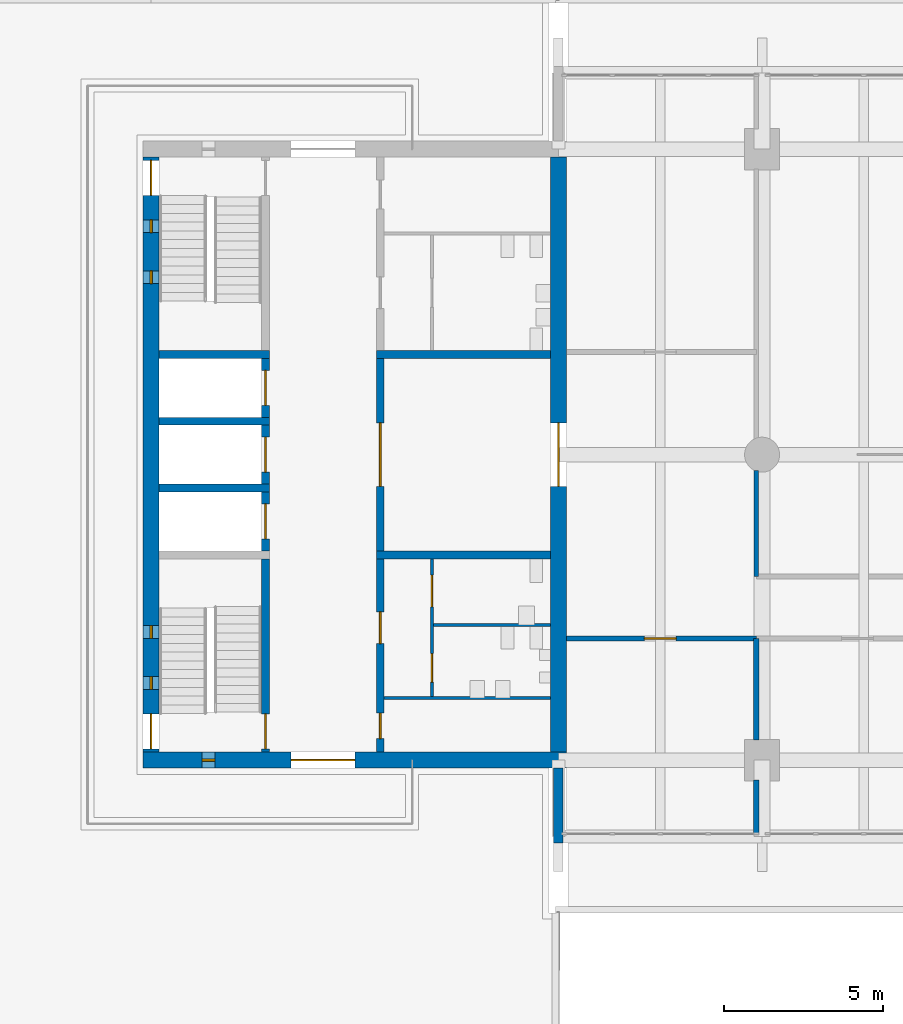
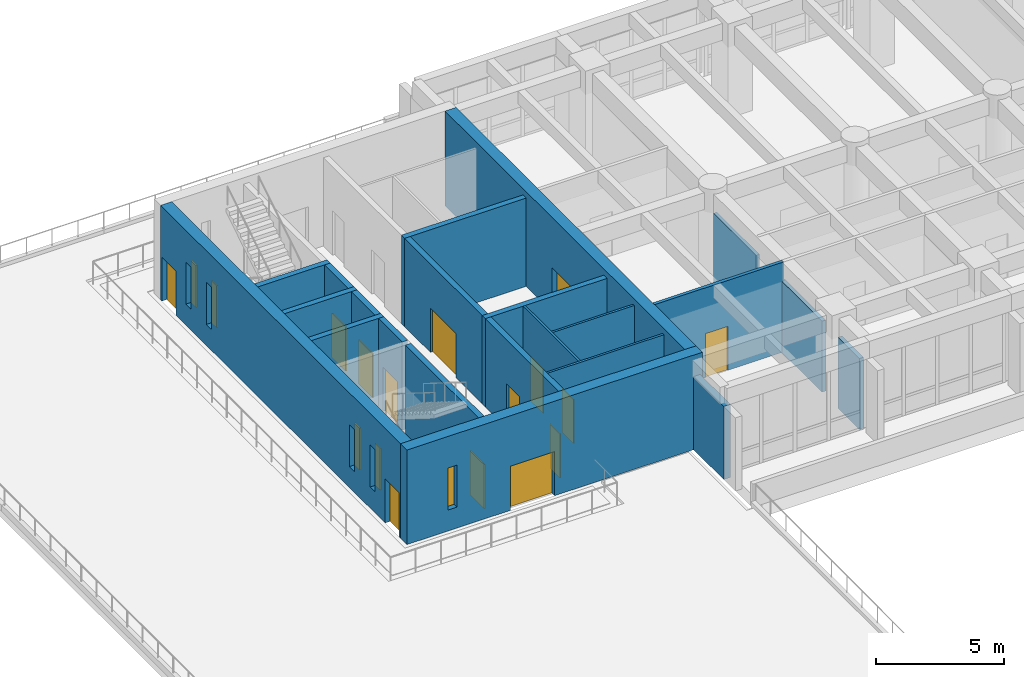
# One storey, part 11 of 21: 22 walls, 14 doors, 5 windows, 19 openings.
"""IFC4 building model written with IfcOpenShell, lengths in metres."""

import ifcopenshell
import ifcopenshell.guid

model = None  # the IFC model being written
_history = None  # IfcOwnerHistory: only IFC2X3 demands one
_inside = {}  # id of a spatial element -> (the spatial element, [elements in it])
_under = {}  # id of a project, library or spatial element -> (it, [spatial elements below it])
_declared = {}  # id of a project -> (the project, [libraries it declares])
_typed = {}  # id of a type object -> (the type object, [elements of that type])
_made_of = {}  # id of a material, layer set ... -> (it, [elements and type objects made of it])


def new_model(schema):
    """Start an empty IFC model of exactly this schema.

    Asked for "IFC4X3", IfcOpenShell would pick the latest addendum, in which some entities
    have other attributes; the version numbers below select the first issue.
    IFC2X3 requires an IfcOwnerHistory on every rooted entity: one is made here for all.
    """
    global model, _history
    if schema == "IFC4X3":
        model = ifcopenshell.file(schema_version=(4, 3, 0, 0))
    else:
        model = ifcopenshell.file(schema=schema)
    _inside.clear()
    _under.clear()
    _declared.clear()
    _typed.clear()
    _made_of.clear()
    _history = None
    if model.schema == "IFC2X3":
        org = make("IfcOrganization", Name="unknown")
        user = make(
            "IfcPersonAndOrganization",
            ThePerson=make("IfcPerson", FamilyName="unknown"),
            TheOrganization=org,
        )
        app = make(
            "IfcApplication",
            ApplicationDeveloper=org,
            Version="unknown",
            ApplicationFullName="unknown",
            ApplicationIdentifier="unknown",
        )
        _history = make(
            "IfcOwnerHistory",
            OwningUser=user,
            OwningApplication=app,
            ChangeAction="ADDED",
            CreationDate=0,
        )
    return model


def make(cls, **values):
    """One entity of the class cls with the attributes given. An attribute that is None is left unset."""
    return model.create_entity(
        cls, **{name: value for name, value in values.items() if value is not None}
    )


def rooted(cls, **values):
    """An entity with a GlobalId (a new one), such as an element, a storey or a relation."""
    return make(cls, GlobalId=ifcopenshell.guid.new(), OwnerHistory=_history, **values)


def si_unit(unit_type, name, prefix=None):
    """IfcSIUnit, for example si_unit("LENGTHUNIT", "METRE", prefix="MILLI")."""
    return make("IfcSIUnit", UnitType=unit_type, Prefix=prefix, Name=name)


def assignment(units):
    """IfcUnitAssignment: the units of a project."""
    return None if units is None else make("IfcUnitAssignment", Units=units)


def point(xyz):
    """IfcCartesianPoint."""
    return None if xyz is None else make("IfcCartesianPoint", Coordinates=xyz)


def direction(xyz):
    """IfcDirection."""
    return None if xyz is None else make("IfcDirection", DirectionRatios=xyz)


def frame(location, z_axis=None, x_axis=None):
    """IfcAxis2Placement3D, a coordinate frame: its origin and axes. An axis left out is left unset."""
    return make(
        "IfcAxis2Placement3D",
        Location=point(location),
        Axis=direction(z_axis),
        RefDirection=direction(x_axis),
    )


def frame_2d(location, x_axis=None):
    """IfcAxis2Placement2D, a coordinate frame in the plane: its origin and x axis."""
    return make(
        "IfcAxis2Placement2D", Location=point(location), RefDirection=direction(x_axis)
    )


def origin():
    """The frame at (0, 0, 0) with its axes left unset."""
    return frame((0.0, 0.0, 0.0))


def place(relative_to, where):
    """IfcLocalPlacement: puts the frame where relative to a parent placement (None: the world)."""
    return make(
        "IfcLocalPlacement", PlacementRelTo=relative_to, RelativePlacement=where
    )


def context(
    kind, dimensions, precision=None, world=None, true_north=None, identifier=None
):
    """IfcGeometricRepresentationContext, for example the 3D "Model" context."""
    return make(
        "IfcGeometricRepresentationContext",
        ContextIdentifier=identifier,
        ContextType=kind,
        CoordinateSpaceDimension=dimensions,
        Precision=precision,
        WorldCoordinateSystem=world,
        TrueNorth=true_north,
    )


def subcontext(parent, identifier, kind, view, scale=None):
    """IfcGeometricRepresentationSubContext, for example "Body" below "Model"."""
    return make(
        "IfcGeometricRepresentationSubContext",
        ContextIdentifier=identifier,
        ContextType=kind,
        ParentContext=parent,
        TargetScale=scale,
        TargetView=view,
    )


def project(units=None, contexts=None):
    """IfcProject with its units and contexts."""
    return rooted(
        "IfcProject",
        Name="project",
        RepresentationContexts=contexts,
        UnitsInContext=assignment(units),
    )


def spatial(cls, under=None, at=None, **own):
    """A site, building, storey or space (cls), placed at a placement, below another one or the project."""
    s = rooted(cls, ObjectPlacement=at, **own)
    if under is not None:
        _under.setdefault(under.id(), (under, []))[1].append(s)
    return s


def profile(cls, at=None, kind="AREA", **sizes):
    """A parametric profile (cls). Its sizes go by their IFC names, for example OverallWidth=200.0."""
    return make(cls, ProfileType=kind, Position=at, **sizes)


def rectangle(**sizes):
    """IfcRectangleProfileDef."""
    return profile("IfcRectangleProfileDef", **sizes)


def extrude(swept, where, along, depth):
    """IfcExtrudedAreaSolid: the profile swept, set in the frame where, extruded along a direction by depth."""
    return make(
        "IfcExtrudedAreaSolid",
        SweptArea=swept,
        Position=where,
        ExtrudedDirection=direction(along),
        Depth=depth,
    )


def shape(context_of_items, identifier, shape_type, items):
    """IfcShapeRepresentation: the items that make up one representation, for example the "Body"."""
    return make(
        "IfcShapeRepresentation",
        ContextOfItems=context_of_items,
        RepresentationIdentifier=identifier,
        RepresentationType=shape_type,
        Items=items,
    )


def material(Name=None, Category=None):
    """IfcMaterial."""
    return make("IfcMaterial", Name=Name, Category=Category)


def layer(
    of_material, thickness, ventilated=None, Name=None, Category=None, Priority=None
):
    """IfcMaterialLayer: one layer of a wall or slab, of a material (None: an air gap)."""
    return make(
        "IfcMaterialLayer",
        Material=of_material,
        LayerThickness=thickness,
        IsVentilated=ventilated,
        Name=Name,
        Category=Category,
        Priority=Priority,
    )


def layer_set(layers, Name=None):
    """IfcMaterialLayerSet."""
    return make("IfcMaterialLayerSet", MaterialLayers=layers, LayerSetName=Name)


def made_of(thing, what):
    """Note that an element or type object is made of a material, layer set ...; save() writes the relation."""
    if what is not None:
        _made_of.setdefault(what.id(), (what, []))[1].append(thing)
    return thing


def type_object(cls, material=None, **own):
    """A type object (cls), such as IfcWallType, which elements share."""
    return made_of(rooted(cls, **own), material)


def element(
    cls,
    number,
    at=None,
    inside=None,
    cuts=None,
    type_object=None,
    material=None,
    context=None,
    identifier="Body",
    shape_type=None,
    held_by="IfcProductDefinitionShape",
    body=None,
    shapes=None,
    **own,
):
    """One element of the class cls, such as IfcWall. Its Tag is "e" and its number.

    at: its placement. inside: the storey or other place that contains it. cuts: it is an
    opening in that element (IfcRelVoidsElement). A single representation is given by context,
    identifier, shape_type and body (its items); several are given by shapes. held_by: the class
    of the entity that holds the representations. save() writes the other relations.
    """
    e = rooted(cls, Tag="e%d" % number, ObjectPlacement=at, **own)
    if body is not None:
        shapes = [shape(context, identifier, shape_type, body)]
    if shapes is not None:
        e.Representation = make(held_by, Representations=shapes)
    if inside is not None:
        _inside.setdefault(inside.id(), (inside, []))[1].append(e)
    if cuts is not None:
        rooted(
            "IfcRelVoidsElement", RelatingBuildingElement=cuts, RelatedOpeningElement=e
        )
    if type_object is not None:
        _typed.setdefault(type_object.id(), (type_object, []))[1].append(e)
    return made_of(e, material)


def fill(opening, filler):
    """IfcRelFillsElement: the door or window that sits in an opening."""
    return rooted(
        "IfcRelFillsElement",
        RelatingOpeningElement=opening,
        RelatedBuildingElement=filler,
    )


def aggregate(whole, parts):
    """IfcRelAggregates: a whole, such as a stair, and the parts it consists of."""
    return rooted("IfcRelAggregates", RelatingObject=whole, RelatedObjects=parts)


def save(model, path):
    """Write the relations noted so far, then the file.

    IfcRelAggregates (storeys below a building ...), IfcRelContainedInSpatialStructure (elements
    in a storey), IfcRelDefinesByType, IfcRelAssociatesMaterial and IfcRelDeclares: one each for
    every whole, place, type object, material and project.
    """
    for whole, parts in _under.values():
        aggregate(whole, parts)
    for where, things in _inside.values():
        rooted(
            "IfcRelContainedInSpatialStructure",
            RelatedElements=things,
            RelatingStructure=where,
        )
    for kind, things in _typed.values():
        rooted("IfcRelDefinesByType", RelatedObjects=things, RelatingType=kind)
    for what, things in _made_of.values():
        rooted("IfcRelAssociatesMaterial", RelatedObjects=things, RelatingMaterial=what)
    for by, libraries in _declared.values():
        rooted("IfcRelDeclares", RelatingContext=by, RelatedDefinitions=libraries)
    model.write(path)


model = new_model("IFC4")

# Units and contexts
model_context = context("Model", 3, precision=1e-05, world=origin(), true_north=direction((0.0, 1.0)))
body_context = subcontext(model_context, "Body", "Model", "MODEL_VIEW")
ifc_project = project(units=[si_unit("LENGTHUNIT", "METRE"), si_unit("AREAUNIT", "SQUARE_METRE"), si_unit("VOLUMEUNIT", "CUBIC_METRE"), si_unit("PLANEANGLEUNIT", "RADIAN"), si_unit("MASSUNIT", "GRAM", prefix="KILO")], contexts=[model_context])

# Site, building, storey
site_placement = place(None, origin())
site = spatial("IfcSite", under=ifc_project, at=site_placement, CompositionType="ELEMENT")
building_placement = place(site_placement, origin())
building = spatial("IfcBuilding", under=site, at=building_placement, Name="Fogon Plaza Fire Station and Headquarters Tower", CompositionType="ELEMENT")
storey_placement = place(building_placement, frame((0.0, 0.0, 8.39990234375)))
storey = spatial("IfcBuildingStorey", under=building, at=storey_placement, Name="L02", CompositionType="ELEMENT", Elevation=8.39990234375)

# Walls
ifc_material_1 = material(Name="Concrete C40", Category="concrete")
ifc_layer_1 = layer(ifc_material_1, 0.25)
ifc_layer_set_1 = layer_set([ifc_layer_1], Name="Concrete C40")
wall_type_1 = type_object("IfcWallType", Name="Core Wall RC 250", PredefinedType="SOLIDWALL", material=ifc_layer_set_1)
for number, where, z_axis, x_axis, name in (
    (1, (13.050048828125, 42.14990234375, 0.0), (0.0, 0.0, 1.0), (1.0, 0.0, 0.0), "Core A shaft wall"),
    (2, (13.050048828125, 44.25, 0.0), (0.0, 0.0, 1.0), (1.0, 0.0, 0.0), "Core A shaft wall"),
    (3, (13.050048828125, 46.35009765625, 0.0), (0.0, 0.0, 1.0), (1.0, 0.0, 0.0), "Core A shaft wall"),
):
    element("IfcWall", number, at=place(storey_placement, frame(where, z_axis=z_axis, x_axis=x_axis)), inside=storey, type_object=wall_type_1, Name=name, PredefinedType="SOLIDWALL", context=body_context, shape_type="SweptSolid", body=[
        extrude(rectangle(XDim=3.474853515625, YDim=0.25, at=frame_2d((1.7373046875, 0.0))), origin(), (0.0, 0.0, 1.0), 4.2001953125),
    ])

# Wall, opening, door
wall_1_placement = place(storey_placement, frame((16.39990234375, 33.85009765625, 0.0), z_axis=(0.0, 0.0, 1.0), x_axis=(0.0, 1.0, 0.0)))
wall_1 = element("IfcWall", 4, at=wall_1_placement, inside=storey, type_object=wall_type_1, Name="Core A shaft wall", PredefinedType="SOLIDWALL", context=body_context, shape_type="SweptSolid", body=[
    extrude(rectangle(XDim=6.074951171875, YDim=0.25, at=frame_2d((3.03759765625, 0.0))), origin(), (0.0, 0.0, 1.0), 4.2001953125),
])
opening_1_placement = place(wall_1_placement, frame((0.10009765625, 0.0, 0.0)))
opening_1 = element("IfcOpeningElement", 5, at=opening_1_placement, cuts=wall_1, Name="Opening L02-D01", PredefinedType="OPENING", context=body_context, shape_type="SweptSolid", body=[
    extrude(rectangle(XDim=1.10009765625, YDim=2.10009765625, at=frame_2d((0.550048828125, 1.050048828125))), frame((0.0, 0.135009765625, 0.0), z_axis=(0.0, -1.0, 0.0), x_axis=(1.0, 0.0, 0.0)), (0.0, 0.0, 1.0), 0.27001953125),
])
ifc_material_2 = material(Name="Steel Fire Door Leaf", Category="steel")
door_type_1 = type_object("IfcDoorType", Name="Stair Door Single 1100x2100", OperationType="SINGLE_SWING_LEFT", PredefinedType="DOOR", material=ifc_material_2)
door_1_placement = place(opening_1_placement, origin())
door_1 = element("IfcDoor", 6, at=door_1_placement, inside=storey, type_object=door_type_1, Name="Stair door ST1", OperationType="SINGLE_SWING_LEFT", OverallHeight=2.10009765625, OverallWidth=1.10009765625, PredefinedType="DOOR", context=body_context, shape_type="SweptSolid", body=[
    extrude(rectangle(XDim=1.10009765625, YDim=2.10009765625, at=frame_2d((0.550048828125, 1.050048828125))), frame((0.0, 0.02490234375, 0.0), z_axis=(0.0, -1.0, 0.0), x_axis=(1.0, 0.0, 0.0)), (0.0, 0.0, 1.0), 0.050048828125),
])
fill(opening_1, door_1)

wall_2_placement = place(storey_placement, frame((16.39990234375, 40.175048828125, 0.0), z_axis=(0.0, 0.0, 1.0), x_axis=(0.0, 1.0, 0.0)))
wall_2 = element("IfcWall", 7, at=wall_2_placement, inside=storey, type_object=wall_type_1, Name="Core A shaft wall", PredefinedType="SOLIDWALL", context=body_context, shape_type="SweptSolid", body=[
    extrude(rectangle(XDim=1.849853515625, YDim=0.25, at=frame_2d((0.9248046875, 0.0))), origin(), (0.0, 0.0, 1.0), 4.2001953125),
])
opening_2_placement = place(wall_2_placement, frame((0.375, 0.0, 0.0)))
opening_2 = element("IfcOpeningElement", 8, at=opening_2_placement, cuts=wall_2, Name="Opening L02-D03", PredefinedType="OPENING", context=body_context, shape_type="SweptSolid", body=[
    extrude(rectangle(XDim=1.10009765625, YDim=2.10009765625, at=frame_2d((0.550048828125, 1.050048828125))), frame((0.0, 0.135009765625, 0.0), z_axis=(0.0, -1.0, 0.0), x_axis=(1.0, 0.0, 0.0)), (0.0, 0.0, 1.0), 0.27001953125),
])
ifc_material_3 = material(Name="Stainless Steel", Category="steel")
door_type_2 = type_object("IfcDoorType", Name="Lift Landing Door 1100x2100", OperationType="SLIDING_TO_LEFT", PredefinedType="DOOR", material=ifc_material_3)
door_2_placement = place(opening_2_placement, origin())
door_2 = element("IfcDoor", 9, at=door_2_placement, inside=storey, type_object=door_type_2, Name="Lift LP1 landing door", OperationType="SLIDING_TO_LEFT", OverallHeight=2.10009765625, OverallWidth=1.10009765625, PredefinedType="DOOR", context=body_context, shape_type="SweptSolid", body=[
    extrude(rectangle(XDim=1.10009765625, YDim=2.10009765625, at=frame_2d((0.550048828125, 1.050048828125))), frame((0.0, 0.02490234375, 0.0), z_axis=(0.0, -1.0, 0.0), x_axis=(1.0, 0.0, 0.0)), (0.0, 0.0, 1.0), 0.050048828125),
])
fill(opening_2, door_2)

wall_3_placement = place(storey_placement, frame((16.39990234375, 42.27490234375, 0.0), z_axis=(0.0, 0.0, 1.0), x_axis=(0.0, 1.0, 0.0)))
wall_3 = element("IfcWall", 10, at=wall_3_placement, inside=storey, type_object=wall_type_1, Name="Core A shaft wall", PredefinedType="SOLIDWALL", context=body_context, shape_type="SweptSolid", body=[
    extrude(rectangle(XDim=1.85009765625, YDim=0.25, at=frame_2d((0.925048828125, 0.0))), origin(), (0.0, 0.0, 1.0), 4.2001953125),
])
opening_3_placement = place(wall_3_placement, frame((0.375, 0.0, 0.0)))
opening_3 = element("IfcOpeningElement", 11, at=opening_3_placement, cuts=wall_3, Name="Opening L02-D04", PredefinedType="OPENING", context=body_context, shape_type="SweptSolid", body=[
    extrude(rectangle(XDim=1.10009765625, YDim=2.10009765625, at=frame_2d((0.550048828125, 1.050048828125))), frame((0.0, 0.135009765625, 0.0), z_axis=(0.0, -1.0, 0.0), x_axis=(1.0, 0.0, 0.0)), (0.0, 0.0, 1.0), 0.27001953125),
])
door_3_placement = place(opening_3_placement, origin())
door_3 = element("IfcDoor", 12, at=door_3_placement, inside=storey, type_object=door_type_2, Name="Lift LP2 landing door", OperationType="SLIDING_TO_LEFT", OverallHeight=2.10009765625, OverallWidth=1.10009765625, PredefinedType="DOOR", context=body_context, shape_type="SweptSolid", body=[
    extrude(rectangle(XDim=1.10009765625, YDim=2.10009765625, at=frame_2d((0.550048828125, 1.050048828125))), frame((0.0, 0.02490234375, 0.0), z_axis=(0.0, -1.0, 0.0), x_axis=(1.0, 0.0, 0.0)), (0.0, 0.0, 1.0), 0.050048828125),
])
fill(opening_3, door_3)

wall_4_placement = place(storey_placement, frame((16.39990234375, 44.375, 0.0), z_axis=(0.0, 0.0, 1.0), x_axis=(0.0, 1.0, 0.0)))
wall_4 = element("IfcWall", 13, at=wall_4_placement, inside=storey, type_object=wall_type_1, Name="Core A shaft wall", PredefinedType="SOLIDWALL", context=body_context, shape_type="SweptSolid", body=[
    extrude(rectangle(XDim=1.85009765625, YDim=0.25, at=frame_2d((0.925048828125, 0.0))), origin(), (0.0, 0.0, 1.0), 4.2001953125),
])
opening_4_placement = place(wall_4_placement, frame((0.375, 0.0, 0.0)))
opening_4 = element("IfcOpeningElement", 14, at=opening_4_placement, cuts=wall_4, Name="Opening L02-D05", PredefinedType="OPENING", context=body_context, shape_type="SweptSolid", body=[
    extrude(rectangle(XDim=1.10009765625, YDim=2.10009765625, at=frame_2d((0.550048828125, 1.050048828125))), frame((0.0, 0.135009765625, 0.0), z_axis=(0.0, -1.0, 0.0), x_axis=(1.0, 0.0, 0.0)), (0.0, 0.0, 1.0), 0.27001953125),
])
door_4_placement = place(opening_4_placement, origin())
door_4 = element("IfcDoor", 15, at=door_4_placement, inside=storey, type_object=door_type_2, Name="Lift FL1 landing door", OperationType="SLIDING_TO_LEFT", OverallHeight=2.10009765625, OverallWidth=1.10009765625, PredefinedType="DOOR", context=body_context, shape_type="SweptSolid", body=[
    extrude(rectangle(XDim=1.10009765625, YDim=2.10009765625, at=frame_2d((0.550048828125, 1.050048828125))), frame((0.0, 0.02490234375, 0.0), z_axis=(0.0, -1.0, 0.0), x_axis=(1.0, 0.0, 0.0)), (0.0, 0.0, 1.0), 0.050048828125),
])
fill(opening_4, door_4)

# Wall, openings, doors
wall_5_placement = place(storey_placement, frame((20.0, 33.85009765625, 0.0), z_axis=(0.0, 0.0, 1.0), x_axis=(0.0, 1.0, 0.0)))
wall_5 = element("IfcWall", 16, at=wall_5_placement, inside=storey, type_object=wall_type_1, Name="Core A shaft wall", PredefinedType="SOLIDWALL", context=body_context, shape_type="SweptSolid", body=[
    extrude(rectangle(XDim=6.074951171875, YDim=0.25, at=frame_2d((3.03759765625, 0.0))), origin(), (0.0, 0.0, 1.0), 4.2001953125),
])
opening_5_placement = place(wall_5_placement, frame((0.425048828125, 0.0, 0.0)))
opening_5 = element("IfcOpeningElement", 17, at=opening_5_placement, cuts=wall_5, Name="Opening L02-D08", PredefinedType="OPENING", context=body_context, shape_type="SweptSolid", body=[
    extrude(rectangle(XDim=0.800048828125, YDim=2.10009765625, at=frame_2d((0.39990234375, 1.050048828125))), frame((0.0, 0.135009765625, 0.0), z_axis=(0.0, -1.0, 0.0), x_axis=(1.0, 0.0, 0.0)), (0.0, 0.0, 1.0), 0.27001953125),
])
opening_6_placement = place(wall_5_placement, frame((3.41259765625, 0.0, 0.0)))
opening_6 = element("IfcOpeningElement", 18, at=opening_6_placement, cuts=wall_5, Name="Opening L02-D09", PredefinedType="OPENING", context=body_context, shape_type="SweptSolid", body=[
    extrude(rectangle(XDim=1.0, YDim=2.10009765625, at=frame_2d((0.5, 1.050048828125))), frame((0.0, 0.135009765625, 0.0), z_axis=(0.0, -1.0, 0.0), x_axis=(1.0, 0.0, 0.0)), (0.0, 0.0, 1.0), 0.27001953125),
])
ifc_material_4 = material(Name="Timber Door Leaf", Category="wood")
door_type_3 = type_object("IfcDoorType", Name="Cleaner Store Single 800x2100", OperationType="SINGLE_SWING_LEFT", PredefinedType="DOOR", material=ifc_material_4)
door_5_placement = place(opening_5_placement, frame((0.800048828125, 0.0, 0.0), z_axis=(0.0, 0.0, 1.0), x_axis=(-1.0, 0.0, 0.0)))
door_5 = element("IfcDoor", 19, at=door_5_placement, inside=storey, type_object=door_type_3, Name="Cleaner's store A door", OperationType="SINGLE_SWING_RIGHT", OverallHeight=2.10009765625, OverallWidth=0.800048828125, PredefinedType="DOOR", context=body_context, shape_type="SweptSolid", body=[
    extrude(rectangle(XDim=0.800048828125, YDim=2.10009765625, at=frame_2d((0.39990234375, 1.050048828125))), frame((0.0, 0.02490234375, 0.0), z_axis=(0.0, -1.0, 0.0), x_axis=(1.0, 0.0, 0.0)), (0.0, 0.0, 1.0), 0.050048828125),
])
fill(opening_5, door_5)
ifc_material_5 = material(Name="Timber fire door", Category="wood")
door_type_4 = type_object("IfcDoorType", Name="WC Lobby Single 1000x2100", OperationType="SINGLE_SWING_LEFT", PredefinedType="DOOR", material=ifc_material_5)
door_6_placement = place(opening_6_placement, frame((1.0, 0.0, 0.0), z_axis=(0.0, 0.0, 1.0), x_axis=(-1.0, 0.0, 0.0)))
door_6 = element("IfcDoor", 20, at=door_6_placement, inside=storey, type_object=door_type_4, Name="Men's WC lobby A door", OperationType="SINGLE_SWING_LEFT", OverallHeight=2.10009765625, OverallWidth=1.0, PredefinedType="DOOR", context=body_context, shape_type="SweptSolid", body=[
    extrude(rectangle(XDim=1.0, YDim=2.10009765625, at=frame_2d((0.5, 1.050048828125))), frame((0.0, 0.02490234375, 0.0), z_axis=(0.0, -1.0, 0.0), x_axis=(1.0, 0.0, 0.0)), (0.0, 0.0, 1.0), 0.050048828125),
])
fill(opening_6, door_6)

# Wall, opening, door
wall_6_placement = place(storey_placement, frame((20.0, 40.175048828125, 0.0), z_axis=(0.0, 0.0, 1.0), x_axis=(0.0, 1.0, 0.0)))
wall_6 = element("IfcWall", 21, at=wall_6_placement, inside=storey, type_object=wall_type_1, Name="Core A shaft wall", PredefinedType="SOLIDWALL", context=body_context, shape_type="SweptSolid", body=[
    extrude(rectangle(XDim=6.050048828125, YDim=0.25, at=frame_2d((3.02490234375, 0.0))), origin(), (0.0, 0.0, 1.0), 4.2001953125),
])
opening_7_placement = place(wall_6_placement, frame((2.02490234375, 0.0, 0.0)))
opening_7 = element("IfcOpeningElement", 22, at=opening_7_placement, cuts=wall_6, Name="Opening L02-D06", PredefinedType="OPENING", context=body_context, shape_type="SweptSolid", body=[
    extrude(rectangle(XDim=2.0, YDim=2.10009765625, at=frame_2d((1.0, 1.050048828125))), frame((0.0, 0.135009765625, 0.0), z_axis=(0.0, -1.0, 0.0), x_axis=(1.0, 0.0, 0.0)), (0.0, 0.0, 1.0), 0.27001953125),
])
ifc_material_6 = material(Name="Steel Fire Door Leaf", Category="steel")
door_type_5 = type_object("IfcDoorType", Name="Vestibule Double 2000x2100", OperationType="DOUBLE_DOOR_SINGLE_SWING", PredefinedType="DOOR", material=ifc_material_6)
door_7_placement = place(opening_7_placement, frame((2.0, 0.0, 0.0), z_axis=(0.0, 0.0, 1.0), x_axis=(-1.0, 0.0, 0.0)))
door_7 = element("IfcDoor", 23, at=door_7_placement, inside=storey, type_object=door_type_5, Name="Vestibule A door", OperationType="DOUBLE_DOOR_SINGLE_SWING", OverallHeight=2.10009765625, OverallWidth=2.0, PredefinedType="DOOR", context=body_context, shape_type="SweptSolid", body=[
    extrude(rectangle(XDim=2.0, YDim=2.10009765625, at=frame_2d((1.0, 1.050048828125))), frame((0.0, 0.02490234375, 0.0), z_axis=(0.0, -1.0, 0.0), x_axis=(1.0, 0.0, 0.0)), (0.0, 0.0, 1.0), 0.050048828125),
])
fill(opening_7, door_7)

# Walls
for number, where, z_axis, x_axis, name in (
    (24, (19.875, 40.050048828125, 0.0), (0.0, 0.0, 1.0), (1.0, 0.0, 0.0), "Core A shaft wall"),
    (25, (19.875, 46.35009765625, 0.0), (0.0, 0.0, 1.0), (1.0, 0.0, 0.0), "Core A shaft wall"),
):
    element("IfcWall", number, at=place(storey_placement, frame(where, z_axis=z_axis, x_axis=x_axis)), inside=storey, type_object=wall_type_1, Name=name, PredefinedType="SOLIDWALL", context=body_context, shape_type="SweptSolid", body=[
        extrude(rectangle(XDim=5.47509765625, YDim=0.25, at=frame_2d((2.737548828125, 0.0))), origin(), (0.0, 0.0, 1.0), 4.2001953125),
    ])
ifc_material_7 = material(Name="Concrete C40", Category="concrete")
ifc_layer_2 = layer(ifc_material_7, 0.300048828125)
ifc_layer_set_2 = layer_set([ifc_layer_2], Name="Concrete C40")
wall_type_2 = type_object("IfcWallType", Name="Fair-faced RC Return Panel 300", PredefinedType="SOLIDWALL", material=ifc_layer_set_2)
wall_7_placement = place(storey_placement, frame((25.60009765625, 31.0, 0.0), z_axis=(0.0, 0.0, 1.0), x_axis=(0.0, 1.0, 0.0)))
element("IfcWall", 26, at=wall_7_placement, inside=storey, type_object=wall_type_2, Name="Bar end return WS L02", PredefinedType="SOLIDWALL", context=body_context, shape_type="SweptSolid", body=[
    extrude(rectangle(XDim=2.35009765625, YDim=0.300048828125, at=frame_2d((1.175048828125, 0.0))), origin(), (0.0, 0.0, 1.0), 3.47998046875),
])
ifc_material_8 = material(Name="Blockwork", Category="masonry")
ifc_layer_3 = layer(ifc_material_8, 0.10009765625)
ifc_layer_set_3 = layer_set([ifc_layer_3], Name="Blockwork")
wall_type_3 = type_object("IfcWallType", Name="Partition Blockwork 100", PredefinedType="PARTITIONING", material=ifc_layer_set_3)
wall_8_placement = place(storey_placement, frame((20.125, 35.550048828125, 0.0), z_axis=(0.0, 0.0, 1.0), x_axis=(1.0, 0.0, 0.0)))
element("IfcWall", 27, at=wall_8_placement, inside=storey, type_object=wall_type_3, Name="Cleaner's store partition", PredefinedType="PARTITIONING", context=body_context, shape_type="SweptSolid", body=[
    extrude(rectangle(XDim=5.22509765625, YDim=0.10009765625, at=frame_2d((2.612548828125, 0.0))), origin(), (0.0, 0.0, 1.0), 4.2001953125),
])

# Wall, openings, doors
wall_9_placement = place(storey_placement, frame((21.625, 35.60009765625, 0.0), z_axis=(0.0, 0.0, 1.0), x_axis=(0.0, 1.0, 0.0)))
wall_9 = element("IfcWall", 28, at=wall_9_placement, inside=storey, type_object=wall_type_3, Name="WC block partition", PredefinedType="PARTITIONING", context=body_context, shape_type="SweptSolid", body=[
    extrude(rectangle(XDim=4.324951171875, YDim=0.10009765625, at=frame_2d((2.16259765625, 0.0))), origin(), (0.0, 0.0, 1.0), 4.2001953125),
])
opening_8_placement = place(wall_9_placement, frame((0.449951171875, 0.0, 0.0)))
opening_8 = element("IfcOpeningElement", 29, at=opening_8_placement, cuts=wall_9, Name="Opening L02-D10", PredefinedType="OPENING", context=body_context, shape_type="SweptSolid", body=[
    extrude(rectangle(XDim=0.89990234375, YDim=2.10009765625, at=frame_2d((0.449951171875, 1.050048828125))), frame((0.0, 0.06005859375, 0.0), z_axis=(0.0, -1.0, 0.0), x_axis=(1.0, 0.0, 0.0)), (0.0, 0.0, 1.0), 0.1201171875),
])
opening_9_placement = place(wall_9_placement, frame((2.8125, 0.0, 0.0)))
opening_9 = element("IfcOpeningElement", 30, at=opening_9_placement, cuts=wall_9, Name="Opening L02-D11", PredefinedType="OPENING", context=body_context, shape_type="SweptSolid", body=[
    extrude(rectangle(XDim=1.0, YDim=2.10009765625, at=frame_2d((0.5, 1.050048828125))), frame((0.0, 0.06005859375, 0.0), z_axis=(0.0, -1.0, 0.0), x_axis=(1.0, 0.0, 0.0)), (0.0, 0.0, 1.0), 0.1201171875),
])
ifc_material_9 = material(Name="Timber Door Leaf", Category="wood")
door_type_6 = type_object("IfcDoorType", Name="Accessible WC Single 1000x2100", OperationType="SINGLE_SWING_LEFT", PredefinedType="DOOR", material=ifc_material_9)
door_8_placement = place(opening_9_placement, frame((1.0, 0.0, 0.0), z_axis=(0.0, 0.0, 1.0), x_axis=(-1.0, 0.0, 0.0)))
door_8 = element("IfcDoor", 31, at=door_8_placement, inside=storey, type_object=door_type_6, Name="Accessible WC A door", OperationType="SINGLE_SWING_LEFT", OverallHeight=2.10009765625, OverallWidth=1.0, PredefinedType="DOOR", context=body_context, shape_type="SweptSolid", body=[
    extrude(rectangle(XDim=1.0, YDim=2.10009765625, at=frame_2d((0.5, 1.050048828125))), frame((0.0, 0.02490234375, 0.0), z_axis=(0.0, -1.0, 0.0), x_axis=(1.0, 0.0, 0.0)), (0.0, 0.0, 1.0), 0.050048828125),
])
fill(opening_9, door_8)
ifc_material_10 = material(Name="Timber Door Leaf", Category="wood")
door_type_7 = type_object("IfcDoorType", Name="WC Single 900x2100", OperationType="SINGLE_SWING_LEFT", PredefinedType="DOOR", material=ifc_material_10)
door_9_placement = place(opening_8_placement, frame((0.89990234375, 0.0, 0.0), z_axis=(0.0, 0.0, 1.0), x_axis=(-1.0, 0.0, 0.0)))
door_9 = element("IfcDoor", 32, at=door_9_placement, inside=storey, type_object=door_type_7, Name="Men's WC A door", OperationType="SINGLE_SWING_RIGHT", OverallHeight=2.10009765625, OverallWidth=0.89990234375, PredefinedType="DOOR", context=body_context, shape_type="SweptSolid", body=[
    extrude(rectangle(XDim=0.89990234375, YDim=2.10009765625, at=frame_2d((0.449951171875, 1.050048828125))), frame((0.0, 0.02490234375, 0.0), z_axis=(0.0, -1.0, 0.0), x_axis=(1.0, 0.0, 0.0)), (0.0, 0.0, 1.0), 0.050048828125),
])
fill(opening_8, door_9)

# Wall
wall_10_placement = place(storey_placement, frame((21.675048828125, 37.85009765625, 0.0), z_axis=(0.0, 0.0, 1.0), x_axis=(1.0, 0.0, 0.0)))
element("IfcWall", 33, at=wall_10_placement, inside=storey, type_object=wall_type_3, Name="WC block partition", PredefinedType="PARTITIONING", context=body_context, shape_type="SweptSolid", body=[
    extrude(rectangle(XDim=3.675048828125, YDim=0.10009765625, at=frame_2d((1.83740234375, 0.0))), origin(), (0.0, 0.0, 1.0), 4.2001953125),
])

# Wall, openings, door, window
ifc_material_11 = material(Name="Concrete C40", Category="concrete")
ifc_layer_4 = layer(ifc_material_11, 0.5)
ifc_layer_set_4 = layer_set([ifc_layer_4], Name="Concrete C40")
wall_type_4 = type_object("IfcWallType", Name="Shear wall 500 SW50", PredefinedType="SHEAR", material=ifc_layer_set_4)
wall_11_placement = place(storey_placement, frame((12.550048828125, 33.60009765625, 0.0), z_axis=(0.0, 0.0, 1.0), x_axis=(1.0, 0.0, 0.0)))
wall_11 = element("IfcWall", 34, at=wall_11_placement, inside=storey, type_object=wall_type_4, Name="wall-coreA-S-L02", PredefinedType="SHEAR", context=body_context, shape_type="SweptSolid", body=[
    extrude(rectangle(XDim=13.300048828125, YDim=0.5, at=frame_2d((6.64990234375, 0.0))), origin(), (0.0, 0.0, 1.0), 4.5),
])
opening_10_placement = place(wall_11_placement, frame((1.85009765625, 0.0, 1.0)))
opening_10 = element("IfcOpeningElement", 35, at=opening_10_placement, cuts=wall_11, Name="Opening WS1", PredefinedType="OPENING", context=body_context, shape_type="SweptSolid", body=[
    extrude(rectangle(XDim=0.39990234375, YDim=2.0, at=frame_2d((0.199951171875, 1.0))), frame((0.0, 0.260009765625, 0.0), z_axis=(0.0, -1.0, 0.0), x_axis=(1.0, 0.0, 0.0)), (0.0, 0.0, 1.0), 0.52001953125),
])
opening_11_placement = place(wall_11_placement, frame((4.64990234375, 0.0, 0.0)))
opening_11 = element("IfcOpeningElement", 36, at=opening_11_placement, cuts=wall_11, Name="Opening L02-D15", PredefinedType="OPENING", context=body_context, shape_type="SweptSolid", body=[
    extrude(rectangle(XDim=2.0, YDim=2.10009765625, at=frame_2d((1.0, 1.050048828125))), frame((0.0, 0.260009765625, 0.0), z_axis=(0.0, -1.0, 0.0), x_axis=(1.0, 0.0, 0.0)), (0.0, 0.0, 1.0), 0.52001953125),
])
ifc_material_12 = material(Name="Steel Fire Door Leaf", Category="steel")
door_type_8 = type_object("IfcDoorType", Name="Core Lobby Double 2000x2100", OperationType="DOUBLE_DOOR_SINGLE_SWING", PredefinedType="DOOR", material=ifc_material_12)
door_10_placement = place(opening_11_placement, frame((2.0, 0.0, 0.0), z_axis=(0.0, 0.0, 1.0), x_axis=(-1.0, 0.0, 0.0)))
door_10 = element("IfcDoor", 37, at=door_10_placement, inside=storey, type_object=door_type_8, Name="Core A lobby door S", OperationType="DOUBLE_DOOR_SINGLE_SWING", OverallHeight=2.10009765625, OverallWidth=2.0, PredefinedType="DOOR", context=body_context, shape_type="SweptSolid", body=[
    extrude(rectangle(XDim=2.0, YDim=2.10009765625, at=frame_2d((1.0, 1.050048828125))), frame((0.0, 0.02490234375, 0.0), z_axis=(0.0, -1.0, 0.0), x_axis=(1.0, 0.0, 0.0)), (0.0, 0.0, 1.0), 0.050048828125),
])
fill(opening_11, door_10)
ifc_material_13 = material(Name="Aluminium framed double glazing", Category="aluminium")
window_type = type_object("IfcWindowType", Name="Slit Window WS1 400x2000", PartitioningType="SINGLE_PANEL", PredefinedType="WINDOW", material=ifc_material_13)
window_1_placement = place(opening_10_placement, origin())
window_1 = element("IfcWindow", 38, at=window_1_placement, inside=storey, type_object=window_type, Name="Slit window A5 L02", OverallHeight=2.0, OverallWidth=0.39990234375, PartitioningType="SINGLE_PANEL", PredefinedType="WINDOW", context=body_context, shape_type="SweptSolid", body=[
    extrude(rectangle(XDim=0.39990234375, YDim=2.0, at=frame_2d((0.199951171875, 1.0))), frame((0.0, 0.030029296875, 0.0), z_axis=(0.0, -1.0, 0.0), x_axis=(1.0, 0.0, 0.0)), (0.0, 0.0, 1.0), 0.06005859375),
])
fill(opening_10, window_1)

# Wall, opening, door
wall_12_placement = place(storey_placement, frame((25.60009765625, 33.85009765625, 0.0), z_axis=(0.0, 0.0, 1.0), x_axis=(0.0, 1.0, 0.0)))
wall_12 = element("IfcWall", 39, at=wall_12_placement, inside=storey, type_object=wall_type_4, Name="wall-coreA-E-L02", PredefinedType="SHEAR", context=body_context, shape_type="SweptSolid", body=[
    extrude(rectangle(XDim=18.699951171875, YDim=0.5, at=frame_2d((9.35009765625, 0.0))), origin(), (0.0, 0.0, 1.0), 4.5),
])
opening_12_placement = place(wall_12_placement, frame((8.35009765625, 0.0, 0.0)))
opening_12 = element("IfcOpeningElement", 40, at=opening_12_placement, cuts=wall_12, Name="Opening L02-D07", PredefinedType="OPENING", context=body_context, shape_type="SweptSolid", body=[
    extrude(rectangle(XDim=2.0, YDim=2.10009765625, at=frame_2d((1.0, 1.050048828125))), frame((0.0, 0.260009765625, 0.0), z_axis=(0.0, -1.0, 0.0), x_axis=(1.0, 0.0, 0.0)), (0.0, 0.0, 1.0), 0.52001953125),
])
door_11_placement = place(opening_12_placement, origin())
door_11 = element("IfcDoor", 41, at=door_11_placement, inside=storey, type_object=door_type_5, Name="Vestibule A door to the office zone", OperationType="DOUBLE_DOOR_SINGLE_SWING", OverallHeight=2.10009765625, OverallWidth=2.0, PredefinedType="DOOR", context=body_context, shape_type="SweptSolid", body=[
    extrude(rectangle(XDim=2.0, YDim=2.10009765625, at=frame_2d((1.0, 1.050048828125))), frame((0.0, 0.02490234375, 0.0), z_axis=(0.0, -1.0, 0.0), x_axis=(1.0, 0.0, 0.0)), (0.0, 0.0, 1.0), 0.050048828125),
])
fill(opening_12, door_11)

# Wall, openings, windows, doors
wall_13_placement = place(storey_placement, frame((12.800048828125, 33.85009765625, 0.0), z_axis=(0.0, 0.0, 1.0), x_axis=(0.0, 1.0, 0.0)))
wall_13 = element("IfcWall", 42, at=wall_13_placement, inside=storey, type_object=wall_type_4, Name="wall-coreA-W-L02", PredefinedType="SHEAR", context=body_context, shape_type="SweptSolid", body=[
    extrude(rectangle(XDim=18.699951171875, YDim=0.5, at=frame_2d((9.35009765625, 0.0))), origin(), (0.0, 0.0, 1.0), 4.5),
])
opening_13_placement = place(wall_13_placement, frame((1.97509765625, 0.0, 1.0)))
opening_13 = element("IfcOpeningElement", 43, at=opening_13_placement, cuts=wall_13, Name="Opening WS1", PredefinedType="OPENING", context=body_context, shape_type="SweptSolid", body=[
    extrude(rectangle(XDim=0.39990234375, YDim=2.0, at=frame_2d((0.199951171875, 1.0))), frame((0.0, 0.260009765625, 0.0), z_axis=(0.0, -1.0, 0.0), x_axis=(1.0, 0.0, 0.0)), (0.0, 0.0, 1.0), 0.52001953125),
])
opening_14_placement = place(wall_13_placement, frame((3.574951171875, 0.0, 1.0)))
opening_14 = element("IfcOpeningElement", 44, at=opening_14_placement, cuts=wall_13, Name="Opening WS1", PredefinedType="OPENING", context=body_context, shape_type="SweptSolid", body=[
    extrude(rectangle(XDim=0.39990234375, YDim=2.0, at=frame_2d((0.199951171875, 1.0))), frame((0.0, 0.260009765625, 0.0), z_axis=(0.0, -1.0, 0.0), x_axis=(1.0, 0.0, 0.0)), (0.0, 0.0, 1.0), 0.52001953125),
])
opening_15_placement = place(wall_13_placement, frame((14.72509765625, 0.0, 1.0)))
opening_15 = element("IfcOpeningElement", 45, at=opening_15_placement, cuts=wall_13, Name="Opening WS1", PredefinedType="OPENING", context=body_context, shape_type="SweptSolid", body=[
    extrude(rectangle(XDim=0.39990234375, YDim=2.0, at=frame_2d((0.199951171875, 1.0))), frame((0.0, 0.260009765625, 0.0), z_axis=(0.0, -1.0, 0.0), x_axis=(1.0, 0.0, 0.0)), (0.0, 0.0, 1.0), 0.52001953125),
])
opening_16_placement = place(wall_13_placement, frame((16.324951171875, 0.0, 1.0)))
opening_16 = element("IfcOpeningElement", 46, at=opening_16_placement, cuts=wall_13, Name="Opening WS1", PredefinedType="OPENING", context=body_context, shape_type="SweptSolid", body=[
    extrude(rectangle(XDim=0.39990234375, YDim=2.0, at=frame_2d((0.199951171875, 1.0))), frame((0.0, 0.260009765625, 0.0), z_axis=(0.0, -1.0, 0.0), x_axis=(1.0, 0.0, 0.0)), (0.0, 0.0, 1.0), 0.52001953125),
])
opening_17_placement = place(wall_13_placement, frame((0.10009765625, 0.0, 0.0)))
opening_17 = element("IfcOpeningElement", 47, at=opening_17_placement, cuts=wall_13, Name="Opening L02-D17", PredefinedType="OPENING", context=body_context, shape_type="SweptSolid", body=[
    extrude(rectangle(XDim=1.10009765625, YDim=2.10009765625, at=frame_2d((0.550048828125, 1.050048828125))), frame((0.0, 0.260009765625, 0.0), z_axis=(0.0, -1.0, 0.0), x_axis=(1.0, 0.0, 0.0)), (0.0, 0.0, 1.0), 0.52001953125),
])
opening_18_placement = place(wall_13_placement, frame((17.5, 0.0, 0.0)))
opening_18 = element("IfcOpeningElement", 48, at=opening_18_placement, cuts=wall_13, Name="Opening L02-D18", PredefinedType="OPENING", context=body_context, shape_type="SweptSolid", body=[
    extrude(rectangle(XDim=1.10009765625, YDim=2.10009765625, at=frame_2d((0.550048828125, 1.050048828125))), frame((0.0, 0.260009765625, 0.0), z_axis=(0.0, -1.0, 0.0), x_axis=(1.0, 0.0, 0.0)), (0.0, 0.0, 1.0), 0.52001953125),
])
window_2_placement = place(opening_13_placement, origin())
window_2 = element("IfcWindow", 49, at=window_2_placement, inside=storey, type_object=window_type, Name="Slit window A1 L02", OverallHeight=2.0, OverallWidth=0.39990234375, PartitioningType="SINGLE_PANEL", PredefinedType="WINDOW", context=body_context, shape_type="SweptSolid", body=[
    extrude(rectangle(XDim=0.39990234375, YDim=2.0, at=frame_2d((0.199951171875, 1.0))), frame((0.0, 0.030029296875, 0.0), z_axis=(0.0, -1.0, 0.0), x_axis=(1.0, 0.0, 0.0)), (0.0, 0.0, 1.0), 0.06005859375),
])
fill(opening_13, window_2)
window_3_placement = place(opening_14_placement, origin())
window_3 = element("IfcWindow", 50, at=window_3_placement, inside=storey, type_object=window_type, Name="Slit window A2 L02", OverallHeight=2.0, OverallWidth=0.39990234375, PartitioningType="SINGLE_PANEL", PredefinedType="WINDOW", context=body_context, shape_type="SweptSolid", body=[
    extrude(rectangle(XDim=0.39990234375, YDim=2.0, at=frame_2d((0.199951171875, 1.0))), frame((0.0, 0.030029296875, 0.0), z_axis=(0.0, -1.0, 0.0), x_axis=(1.0, 0.0, 0.0)), (0.0, 0.0, 1.0), 0.06005859375),
])
fill(opening_14, window_3)
window_4_placement = place(opening_15_placement, origin())
window_4 = element("IfcWindow", 51, at=window_4_placement, inside=storey, type_object=window_type, Name="Slit window A3 L02", OverallHeight=2.0, OverallWidth=0.39990234375, PartitioningType="SINGLE_PANEL", PredefinedType="WINDOW", context=body_context, shape_type="SweptSolid", body=[
    extrude(rectangle(XDim=0.39990234375, YDim=2.0, at=frame_2d((0.199951171875, 1.0))), frame((0.0, 0.030029296875, 0.0), z_axis=(0.0, -1.0, 0.0), x_axis=(1.0, 0.0, 0.0)), (0.0, 0.0, 1.0), 0.06005859375),
])
fill(opening_15, window_4)
window_5_placement = place(opening_16_placement, origin())
window_5 = element("IfcWindow", 52, at=window_5_placement, inside=storey, type_object=window_type, Name="Slit window A4 L02", OverallHeight=2.0, OverallWidth=0.39990234375, PartitioningType="SINGLE_PANEL", PredefinedType="WINDOW", context=body_context, shape_type="SweptSolid", body=[
    extrude(rectangle(XDim=0.39990234375, YDim=2.0, at=frame_2d((0.199951171875, 1.0))), frame((0.0, 0.030029296875, 0.0), z_axis=(0.0, -1.0, 0.0), x_axis=(1.0, 0.0, 0.0)), (0.0, 0.0, 1.0), 0.06005859375),
])
fill(opening_16, window_5)
door_12_placement = place(opening_17_placement, origin())
door_12 = element("IfcDoor", 53, at=door_12_placement, inside=storey, type_object=door_type_1, Name="Stair ST1 terrace door", OperationType="SINGLE_SWING_RIGHT", OverallHeight=2.10009765625, OverallWidth=1.10009765625, PredefinedType="DOOR", context=body_context, shape_type="SweptSolid", body=[
    extrude(rectangle(XDim=1.10009765625, YDim=2.10009765625, at=frame_2d((0.550048828125, 1.050048828125))), frame((0.0, 0.02490234375, 0.0), z_axis=(0.0, -1.0, 0.0), x_axis=(1.0, 0.0, 0.0)), (0.0, 0.0, 1.0), 0.050048828125),
])
fill(opening_17, door_12)
door_13_placement = place(opening_18_placement, origin())
door_13 = element("IfcDoor", 54, at=door_13_placement, inside=storey, type_object=door_type_1, Name="Stair ST2 terrace door", OperationType="SINGLE_SWING_LEFT", OverallHeight=2.10009765625, OverallWidth=1.10009765625, PredefinedType="DOOR", context=body_context, shape_type="SweptSolid", body=[
    extrude(rectangle(XDim=1.10009765625, YDim=2.10009765625, at=frame_2d((0.550048828125, 1.050048828125))), frame((0.0, 0.02490234375, 0.0), z_axis=(0.0, -1.0, 0.0), x_axis=(1.0, 0.0, 0.0)), (0.0, 0.0, 1.0), 0.050048828125),
])
fill(opening_18, door_13)

# Walls
ifc_material_14 = material(Name="Double gypsum board on twin steel stud", Category="steel")
ifc_layer_5 = layer(ifc_material_14, 0.175048828125)
ifc_layer_set_5 = layer_set([ifc_layer_5], Name="Double gypsum board on twin steel stud")
wall_type_5 = type_object("IfcWallType", Name="Tower acoustic partition 175 Beam Head 900", PredefinedType="PARTITIONING", material=ifc_layer_set_5)
wall_14_placement = place(storey_placement, frame((31.820068359375, 31.300048828125, 0.0), z_axis=(0.0, 0.0, 1.0), x_axis=(0.0, 1.0, 0.0)))
element("IfcWall", 55, at=wall_14_placement, inside=storey, type_object=wall_type_5, Name="part-L02-07", PredefinedType="PARTITIONING", context=body_context, shape_type="SweptSolid", body=[
    extrude(rectangle(XDim=1.669921875, YDim=0.175048828125, at=frame_2d((0.8349609375, 0.0))), origin(), (0.0, 0.0, 1.0), 3.380126953125),
])
wall_15_placement = place(storey_placement, frame((31.820068359375, 34.22998046875, 0.0), z_axis=(0.0, 0.0, 1.0), x_axis=(0.0, 1.0, 0.0)))
element("IfcWall", 56, at=wall_15_placement, inside=storey, type_object=wall_type_5, Name="part-L02-08", PredefinedType="PARTITIONING", context=body_context, shape_type="SweptSolid", body=[
    extrude(rectangle(XDim=3.195068359375, YDim=0.175048828125, at=frame_2d((1.59765625, 0.0))), origin(), (0.0, 0.0, 1.0), 3.380126953125),
])

# Wall, opening, door
ifc_material_15 = material(Name="Gypsum board on steel stud", Category="steel")
ifc_layer_6 = layer(ifc_material_15, 0.14990234375)
ifc_layer_set_6 = layer_set([ifc_layer_6], Name="Gypsum board on steel stud")
wall_type_6 = type_object("IfcWallType", Name="Tower corridor partition 150 EI 60", PredefinedType="PARTITIONING", material=ifc_layer_set_6)
wall_16_placement = place(storey_placement, frame((25.85009765625, 37.425048828125, 0.0), z_axis=(0.0, 0.0, 1.0), x_axis=(1.0, 0.0, 0.0)))
wall_16 = element("IfcWall", 57, at=wall_16_placement, inside=storey, type_object=wall_type_6, Name="part-L02-01", PredefinedType="PARTITIONING", context=body_context, shape_type="SweptSolid", body=[
    extrude(rectangle(XDim=5.969970703125, YDim=0.14990234375, at=frame_2d((2.98486328125, 0.0))), origin(), (0.0, 0.0, 1.0), 4.280029296875),
])
opening_19_placement = place(wall_16_placement, frame((2.449951171875, 0.0, 0.0)))
opening_19 = element("IfcOpeningElement", 58, at=opening_19_placement, cuts=wall_16, Name="Opening L02-D37", PredefinedType="OPENING", context=body_context, shape_type="SweptSolid", body=[
    extrude(rectangle(XDim=1.0, YDim=2.10009765625, at=frame_2d((0.5, 1.050048828125))), frame((0.0, 0.0849609375, 0.0), z_axis=(0.0, -1.0, 0.0), x_axis=(1.0, 0.0, 0.0)), (0.0, 0.0, 1.0), 0.169921875),
])
ifc_material_16 = material(Name="Timber fire door", Category="wood")
door_type_9 = type_object("IfcDoorType", Name="Tower fire door single 1000 EI 20", OperationType="SINGLE_SWING_LEFT", PredefinedType="DOOR", material=ifc_material_16)
door_14_placement = place(opening_19_placement, frame((1.0, 0.0, 0.0), z_axis=(0.0, 0.0, 1.0), x_axis=(-1.0, 0.0, 0.0)))
door_14 = element("IfcDoor", 59, at=door_14_placement, inside=storey, type_object=door_type_9, Name="door-L02-01", OperationType="SINGLE_SWING_LEFT", OverallHeight=2.10009765625, OverallWidth=1.0, PredefinedType="DOOR", context=body_context, shape_type="SweptSolid", body=[
    extrude(rectangle(XDim=1.0, YDim=2.10009765625, at=frame_2d((0.5, 1.050048828125))), frame((0.0, 0.02490234375, 0.0), z_axis=(0.0, -1.0, 0.0), x_axis=(1.0, 0.0, 0.0)), (0.0, 0.0, 1.0), 0.050048828125),
])
fill(opening_19, door_14)

# Wall
ifc_material_17 = material(Name="Gypsum board on steel stud", Category="steel")
ifc_layer_7 = layer(ifc_material_17, 0.14990234375)
ifc_layer_set_7 = layer_set([ifc_layer_7], Name="Gypsum board on steel stud")
wall_type_7 = type_object("IfcWallType", Name="Tower corridor partition 150 EI 60 Beam Head 900", PredefinedType="PARTITIONING", material=ifc_layer_set_7)
wall_17_placement = place(storey_placement, frame((31.820068359375, 39.375, 0.0), z_axis=(0.0, 0.0, 1.0), x_axis=(0.0, 1.0, 0.0)))
element("IfcWall", 60, at=wall_17_placement, inside=storey, type_object=wall_type_7, Name="part-L02-22", PredefinedType="PARTITIONING", context=body_context, shape_type="SweptSolid", body=[
    extrude(rectangle(XDim=3.3251953125, YDim=0.14990234375, at=frame_2d((1.66259765625, 0.0))), origin(), (0.0, 0.0, 1.0), 3.380126953125),
])

save(model, "model.ifc")
